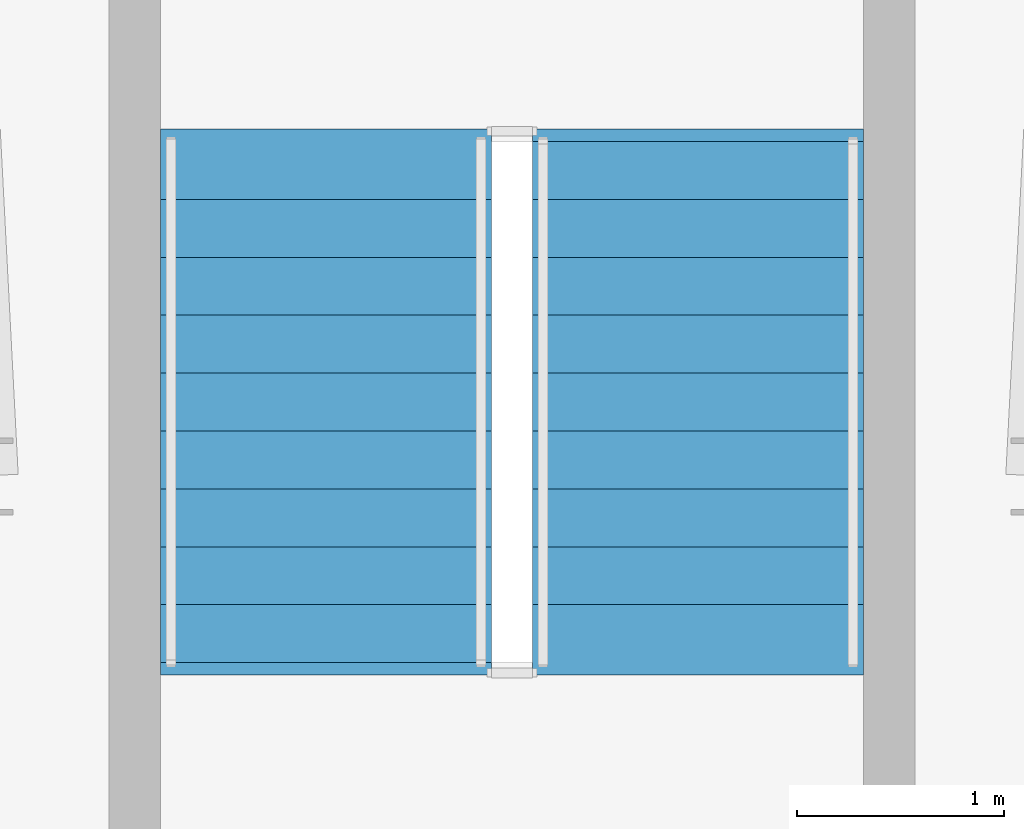
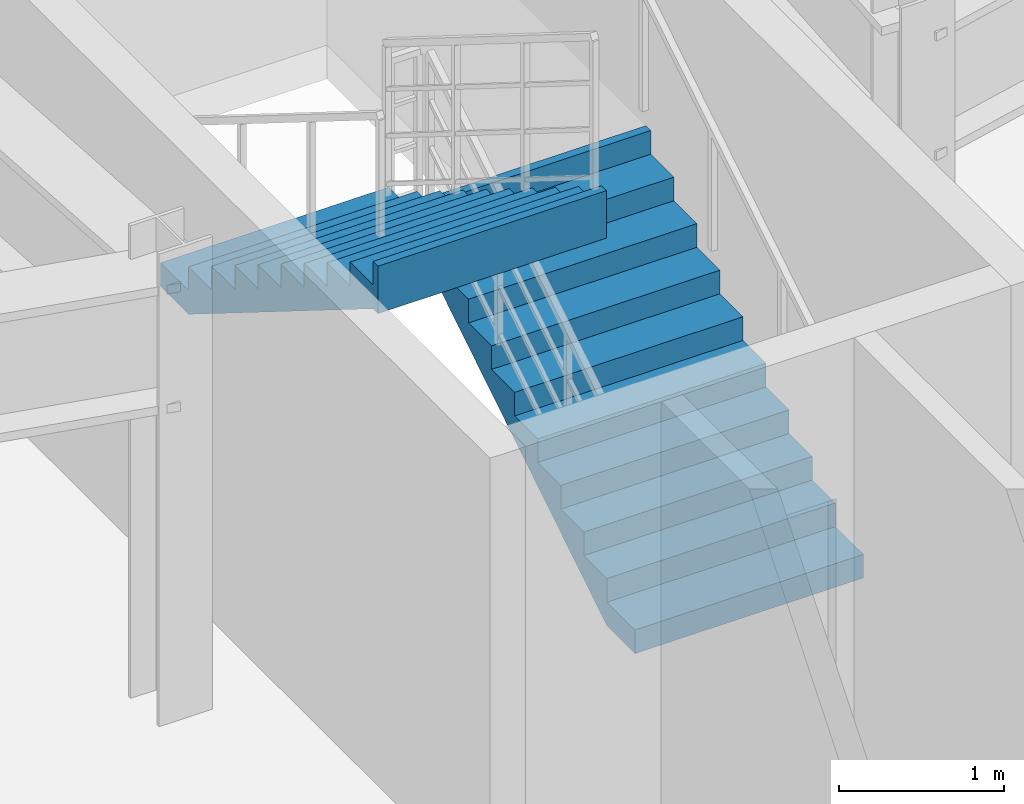
# One storey, part 11 of 12: 2 stair flights, 1 element without a shape of its own.
"""IFC4 building model written with IfcOpenShell, lengths in metres."""

from ifc_helpers import new_model, si_unit, direction, frame, origin, place, context, subcontext, project, spatial, polyline, outline, extrude, material, type_object, element, aggregate, save


model = new_model("IFC4")

# Units and contexts
model_context = context("Model", 3, precision=1e-05, world=origin(), true_north=direction((0.0, 1.0)))
body_context = subcontext(model_context, "Body", "Model", "MODEL_VIEW")
ifc_project = project(units=[si_unit("LENGTHUNIT", "METRE"), si_unit("AREAUNIT", "SQUARE_METRE"), si_unit("VOLUMEUNIT", "CUBIC_METRE"), si_unit("PLANEANGLEUNIT", "RADIAN"), si_unit("MASSUNIT", "GRAM", prefix="KILO")], contexts=[model_context])

# Site, building, storey
site_placement = place(None, origin())
site = spatial("IfcSite", under=ifc_project, at=site_placement, CompositionType="ELEMENT")
building_placement = place(site_placement, origin())
building = spatial("IfcBuilding", under=site, at=building_placement, Name="Varakhsha Concourse Tower", CompositionType="ELEMENT")
storey_placement = place(building_placement, frame((0.0, 0.0, 218.89990234375)))
storey = spatial("IfcBuildingStorey", under=building, at=storey_placement, Name="L62", CompositionType="ELEMENT", Elevation=218.89990234375)

# Stair, stair flights
ifc_material = material(Name="Concrete fc 45 MPa", Category="concrete")
stair_type = type_object("IfcStairType", Name="ST-DOGLEG-1600", PredefinedType="HALF_TURN_STAIR", material=ifc_material)
stair_placement = place(storey_placement, origin())
stair = element("IfcStair", 1, at=stair_placement, inside=storey, type_object=stair_type, Name="L62 Protected Exit Stair ST5", PredefinedType="HALF_TURN_STAIR")
stair_flight_type = type_object("IfcStairFlightType", Name="STF-1600-R1750", PredefinedType="STRAIGHT", material=ifc_material)
stair_flight_1_placement = place(storey_placement, frame((40.89990234375, 40.300048828125, 0.0), z_axis=(0.0, 0.0, 1.0), x_axis=(0.0, 1.0, 0.0)))
stair_flight_1 = element("IfcStairFlight", 2, at=stair_flight_1_placement, type_object=stair_flight_type, Name="ST5 flight 1", NumberOfRisers=10, NumberOfTreads=9, PredefinedType="STRAIGHT", RiserHeight=0.175, TreadLength=0.28, context=body_context, shape_type="SweptSolid", body=[
    extrude(outline(polyline([(-0.06005859375, 0.0), (-0.06005859375, 0.175048828125), (0.0, 0.175048828125), (0.280029296875, 0.175048828125), (0.280029296875, 0.35009765625), (0.56005859375, 0.35009765625), (0.56005859375, 0.52490234375), (0.840087890625, 0.52490234375), (0.840087890625, 0.699951171875), (1.1201171875, 0.699951171875), (1.1201171875, 0.875), (1.39990234375, 0.875), (1.39990234375, 1.050048828125), (1.679931640625, 1.050048828125), (1.679931640625, 1.22509765625), (1.9599609375, 1.22509765625), (1.9599609375, 1.39990234375), (2.239990234375, 1.39990234375), (2.239990234375, 1.574951171875), (2.52001953125, 1.574951171875), (2.52001953125, 1.75), (2.580078125, 1.75), (2.580078125, 1.398193359375), (2.52001953125, 1.398193359375), (0.28271484375, 0.0), (-0.06005859375, 0.0)])), frame((0.0, 0.800048828125, 0.0), z_axis=(0.0, -1.0, 0.0), x_axis=(1.0, 0.0, 0.0)), (0.0, 0.0, 1.0), 1.60009765625),
])
stair_flight_2_placement = place(storey_placement, frame((39.10009765625, 42.820068359375, 1.75), z_axis=(0.0, 0.0, 1.0), x_axis=(0.0, -1.0, 0.0)))
stair_flight_2 = element("IfcStairFlight", 3, at=stair_flight_2_placement, type_object=stair_flight_type, Name="ST5 flight 2", NumberOfRisers=10, NumberOfTreads=9, PredefinedType="STRAIGHT", RiserHeight=0.175, TreadLength=0.28, context=body_context, shape_type="SweptSolid", body=[
    extrude(outline(polyline([(-0.06005859375, 0.0), (-0.06005859375, 0.175048828125), (0.0, 0.175048828125), (0.280029296875, 0.175048828125), (0.280029296875, 0.35009765625), (0.56005859375, 0.35009765625), (0.56005859375, 0.52490234375), (0.840087890625, 0.52490234375), (0.840087890625, 0.699951171875), (1.1201171875, 0.699951171875), (1.1201171875, 0.875), (1.39990234375, 0.875), (1.39990234375, 1.050048828125), (1.679931640625, 1.050048828125), (1.679931640625, 1.22509765625), (1.9599609375, 1.22509765625), (1.9599609375, 1.39990234375), (2.239990234375, 1.39990234375), (2.239990234375, 1.574951171875), (2.52001953125, 1.574951171875), (2.52001953125, 1.75), (2.580078125, 1.75), (2.580078125, 1.398193359375), (2.52001953125, 1.398193359375), (0.28271484375, 0.0), (-0.06005859375, 0.0)])), frame((0.0, 0.800048828125, 0.0), z_axis=(0.0, -1.0, 0.0), x_axis=(1.0, 0.0, 0.0)), (0.0, 0.0, 1.0), 1.60009765625),
])
aggregate(stair, [stair_flight_1, stair_flight_2])

save(model, "model.ifc")
